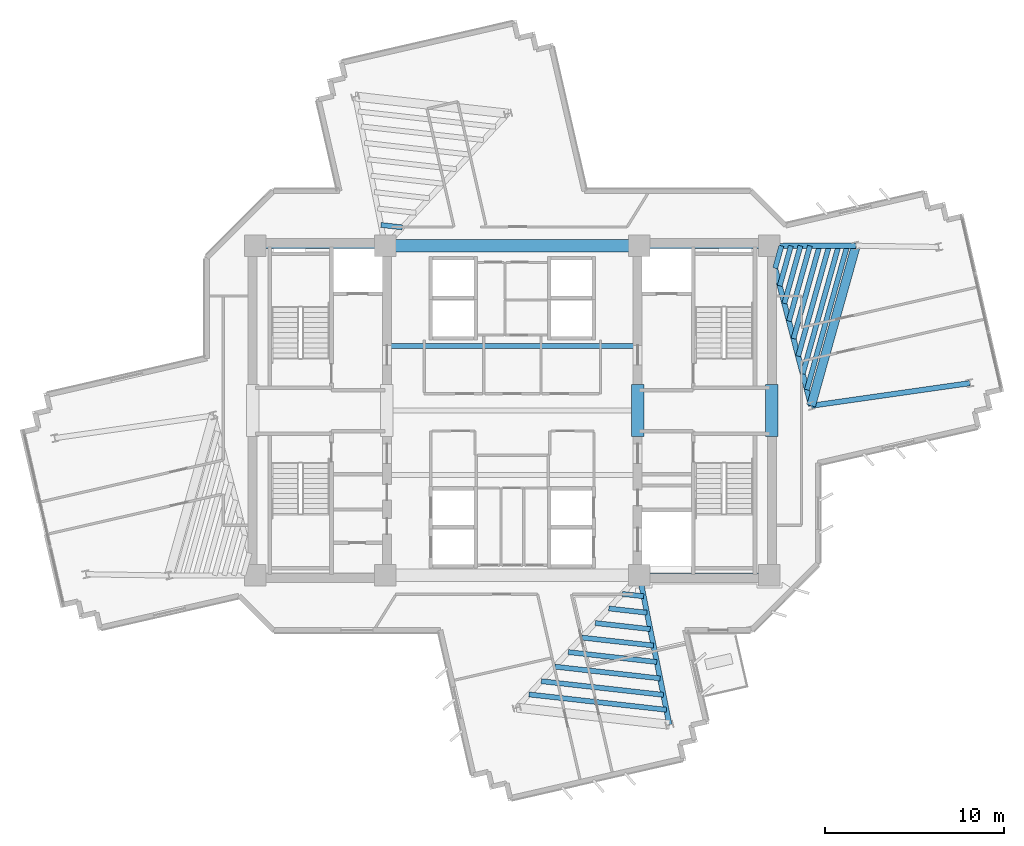
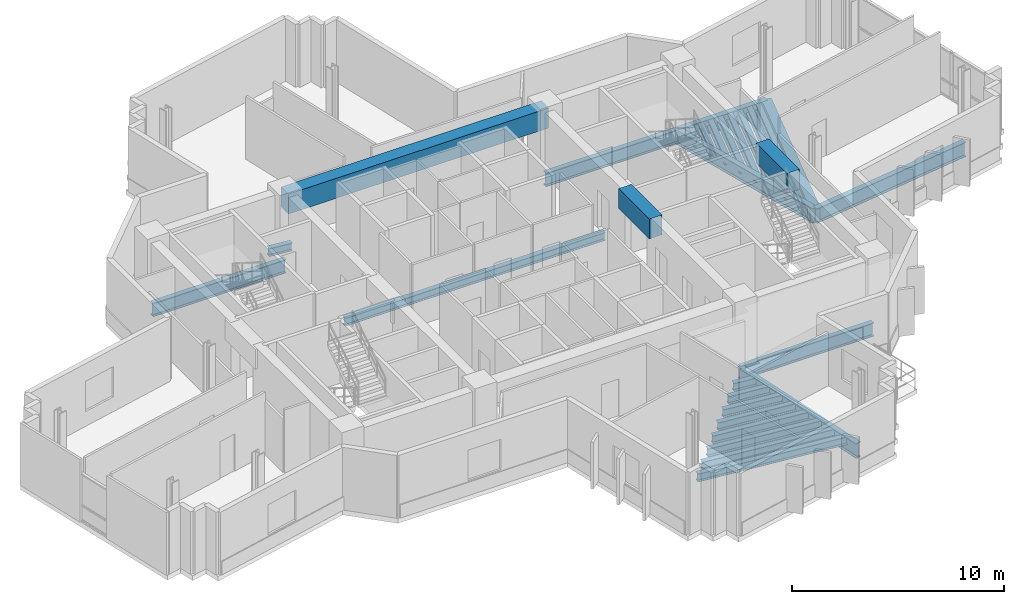
# One storey, part 3 of 13: 29 beams.
"""IFC4 building model written with IfcOpenShell, lengths in metres."""

import ifcopenshell
import ifcopenshell.guid

model = None  # the IFC model being written
_history = None  # IfcOwnerHistory: only IFC2X3 demands one
_inside = {}  # id of a spatial element -> (the spatial element, [elements in it])
_under = {}  # id of a project, library or spatial element -> (it, [spatial elements below it])
_declared = {}  # id of a project -> (the project, [libraries it declares])
_typed = {}  # id of a type object -> (the type object, [elements of that type])
_made_of = {}  # id of a material, layer set ... -> (it, [elements and type objects made of it])


def new_model(schema):
    """Start an empty IFC model of exactly this schema.

    Asked for "IFC4X3", IfcOpenShell would pick the latest addendum, in which some entities
    have other attributes; the version numbers below select the first issue.
    IFC2X3 requires an IfcOwnerHistory on every rooted entity: one is made here for all.
    """
    global model, _history
    if schema == "IFC4X3":
        model = ifcopenshell.file(schema_version=(4, 3, 0, 0))
    else:
        model = ifcopenshell.file(schema=schema)
    _inside.clear()
    _under.clear()
    _declared.clear()
    _typed.clear()
    _made_of.clear()
    _history = None
    if model.schema == "IFC2X3":
        org = make("IfcOrganization", Name="unknown")
        user = make(
            "IfcPersonAndOrganization",
            ThePerson=make("IfcPerson", FamilyName="unknown"),
            TheOrganization=org,
        )
        app = make(
            "IfcApplication",
            ApplicationDeveloper=org,
            Version="unknown",
            ApplicationFullName="unknown",
            ApplicationIdentifier="unknown",
        )
        _history = make(
            "IfcOwnerHistory",
            OwningUser=user,
            OwningApplication=app,
            ChangeAction="ADDED",
            CreationDate=0,
        )
    return model


def make(cls, **values):
    """One entity of the class cls with the attributes given. An attribute that is None is left unset."""
    return model.create_entity(
        cls, **{name: value for name, value in values.items() if value is not None}
    )


def rooted(cls, **values):
    """An entity with a GlobalId (a new one), such as an element, a storey or a relation."""
    return make(cls, GlobalId=ifcopenshell.guid.new(), OwnerHistory=_history, **values)


def si_unit(unit_type, name, prefix=None):
    """IfcSIUnit, for example si_unit("LENGTHUNIT", "METRE", prefix="MILLI")."""
    return make("IfcSIUnit", UnitType=unit_type, Prefix=prefix, Name=name)


def assignment(units):
    """IfcUnitAssignment: the units of a project."""
    return None if units is None else make("IfcUnitAssignment", Units=units)


def point(xyz):
    """IfcCartesianPoint."""
    return None if xyz is None else make("IfcCartesianPoint", Coordinates=xyz)


def direction(xyz):
    """IfcDirection."""
    return None if xyz is None else make("IfcDirection", DirectionRatios=xyz)


def frame(location, z_axis=None, x_axis=None):
    """IfcAxis2Placement3D, a coordinate frame: its origin and axes. An axis left out is left unset."""
    return make(
        "IfcAxis2Placement3D",
        Location=point(location),
        Axis=direction(z_axis),
        RefDirection=direction(x_axis),
    )


def frame_2d(location, x_axis=None):
    """IfcAxis2Placement2D, a coordinate frame in the plane: its origin and x axis."""
    return make(
        "IfcAxis2Placement2D", Location=point(location), RefDirection=direction(x_axis)
    )


def origin():
    """The frame at (0, 0, 0) with its axes left unset."""
    return frame((0.0, 0.0, 0.0))


def origin_2d():
    """The frame at (0, 0) in the plane with its x axis left unset."""
    return frame_2d((0.0, 0.0))


def place(relative_to, where):
    """IfcLocalPlacement: puts the frame where relative to a parent placement (None: the world)."""
    return make(
        "IfcLocalPlacement", PlacementRelTo=relative_to, RelativePlacement=where
    )


def context(
    kind, dimensions, precision=None, world=None, true_north=None, identifier=None
):
    """IfcGeometricRepresentationContext, for example the 3D "Model" context."""
    return make(
        "IfcGeometricRepresentationContext",
        ContextIdentifier=identifier,
        ContextType=kind,
        CoordinateSpaceDimension=dimensions,
        Precision=precision,
        WorldCoordinateSystem=world,
        TrueNorth=true_north,
    )


def subcontext(parent, identifier, kind, view, scale=None):
    """IfcGeometricRepresentationSubContext, for example "Body" below "Model"."""
    return make(
        "IfcGeometricRepresentationSubContext",
        ContextIdentifier=identifier,
        ContextType=kind,
        ParentContext=parent,
        TargetScale=scale,
        TargetView=view,
    )


def project(units=None, contexts=None):
    """IfcProject with its units and contexts."""
    return rooted(
        "IfcProject",
        Name="project",
        RepresentationContexts=contexts,
        UnitsInContext=assignment(units),
    )


def spatial(cls, under=None, at=None, **own):
    """A site, building, storey or space (cls), placed at a placement, below another one or the project."""
    s = rooted(cls, ObjectPlacement=at, **own)
    if under is not None:
        _under.setdefault(under.id(), (under, []))[1].append(s)
    return s


def profile(cls, at=None, kind="AREA", **sizes):
    """A parametric profile (cls). Its sizes go by their IFC names, for example OverallWidth=200.0."""
    return make(cls, ProfileType=kind, Position=at, **sizes)


def rectangle(**sizes):
    """IfcRectangleProfileDef."""
    return profile("IfcRectangleProfileDef", **sizes)


def i_section(**sizes):
    """IfcIShapeProfileDef."""
    return profile("IfcIShapeProfileDef", **sizes)


def extrude(swept, where, along, depth):
    """IfcExtrudedAreaSolid: the profile swept, set in the frame where, extruded along a direction by depth."""
    return make(
        "IfcExtrudedAreaSolid",
        SweptArea=swept,
        Position=where,
        ExtrudedDirection=direction(along),
        Depth=depth,
    )


def shape(context_of_items, identifier, shape_type, items):
    """IfcShapeRepresentation: the items that make up one representation, for example the "Body"."""
    return make(
        "IfcShapeRepresentation",
        ContextOfItems=context_of_items,
        RepresentationIdentifier=identifier,
        RepresentationType=shape_type,
        Items=items,
    )


def source(mapping_origin, context_of_items, identifier, shape_type, items):
    """IfcRepresentationMap: a shape defined once, which mapped items show again and again."""
    return make(
        "IfcRepresentationMap",
        MappingOrigin=mapping_origin,
        MappedRepresentation=shape(context_of_items, identifier, shape_type, items),
    )


def transform(
    local_origin,
    x_axis=None,
    y_axis=None,
    z_axis=None,
    scale=None,
    scale2=None,
    scale3=None,
    uniform=True,
):
    """IfcCartesianTransformationOperator3D, or its non-uniform kind. x_axis, y_axis, z_axis: its Axis1, 2, 3."""
    if uniform:
        return make(
            "IfcCartesianTransformationOperator3D",
            Axis1=direction(x_axis),
            Axis2=direction(y_axis),
            LocalOrigin=point(local_origin),
            Scale=scale,
            Axis3=direction(z_axis),
        )
    return make(
        "IfcCartesianTransformationOperator3DnonUniform",
        Axis1=direction(x_axis),
        Axis2=direction(y_axis),
        LocalOrigin=point(local_origin),
        Scale=scale,
        Axis3=direction(z_axis),
        Scale2=scale2,
        Scale3=scale3,
    )


def mapped(mapping_source, mapping_target):
    """IfcMappedItem: shows the shape of a source again, moved by a transform."""
    return make(
        "IfcMappedItem", MappingSource=mapping_source, MappingTarget=mapping_target
    )


def material(Name=None, Category=None):
    """IfcMaterial."""
    return make("IfcMaterial", Name=Name, Category=Category)


def material_profile(
    of_material, cross_section, Name=None, Category=None, Priority=None
):
    """IfcMaterialProfile: a cross section and its material."""
    return make(
        "IfcMaterialProfile",
        Name=Name,
        Material=of_material,
        Profile=cross_section,
        Priority=Priority,
        Category=Category,
    )


def profile_set(profiles, Name=None, composite=None):
    """IfcMaterialProfileSet."""
    return make(
        "IfcMaterialProfileSet",
        Name=Name,
        MaterialProfiles=profiles,
        CompositeProfile=composite,
    )


def made_of(thing, what):
    """Note that an element or type object is made of a material, layer set ...; save() writes the relation."""
    if what is not None:
        _made_of.setdefault(what.id(), (what, []))[1].append(thing)
    return thing


def type_object(cls, material=None, **own):
    """A type object (cls), such as IfcWallType, which elements share."""
    return made_of(rooted(cls, **own), material)


def element(
    cls,
    number,
    at=None,
    inside=None,
    cuts=None,
    type_object=None,
    material=None,
    context=None,
    identifier="Body",
    shape_type=None,
    held_by="IfcProductDefinitionShape",
    body=None,
    shapes=None,
    **own,
):
    """One element of the class cls, such as IfcWall. Its Tag is "e" and its number.

    at: its placement. inside: the storey or other place that contains it. cuts: it is an
    opening in that element (IfcRelVoidsElement). A single representation is given by context,
    identifier, shape_type and body (its items); several are given by shapes. held_by: the class
    of the entity that holds the representations. save() writes the other relations.
    """
    e = rooted(cls, Tag="e%d" % number, ObjectPlacement=at, **own)
    if body is not None:
        shapes = [shape(context, identifier, shape_type, body)]
    if shapes is not None:
        e.Representation = make(held_by, Representations=shapes)
    if inside is not None:
        _inside.setdefault(inside.id(), (inside, []))[1].append(e)
    if cuts is not None:
        rooted(
            "IfcRelVoidsElement", RelatingBuildingElement=cuts, RelatedOpeningElement=e
        )
    if type_object is not None:
        _typed.setdefault(type_object.id(), (type_object, []))[1].append(e)
    return made_of(e, material)


def aggregate(whole, parts):
    """IfcRelAggregates: a whole, such as a stair, and the parts it consists of."""
    return rooted("IfcRelAggregates", RelatingObject=whole, RelatedObjects=parts)


def save(model, path):
    """Write the relations noted so far, then the file.

    IfcRelAggregates (storeys below a building ...), IfcRelContainedInSpatialStructure (elements
    in a storey), IfcRelDefinesByType, IfcRelAssociatesMaterial and IfcRelDeclares: one each for
    every whole, place, type object, material and project.
    """
    for whole, parts in _under.values():
        aggregate(whole, parts)
    for where, things in _inside.values():
        rooted(
            "IfcRelContainedInSpatialStructure",
            RelatedElements=things,
            RelatingStructure=where,
        )
    for kind, things in _typed.values():
        rooted("IfcRelDefinesByType", RelatedObjects=things, RelatingType=kind)
    for what, things in _made_of.values():
        rooted("IfcRelAssociatesMaterial", RelatedObjects=things, RelatingMaterial=what)
    for by, libraries in _declared.values():
        rooted("IfcRelDeclares", RelatingContext=by, RelatedDefinitions=libraries)
    model.write(path)


model = new_model("IFC4")

# Units and contexts
model_context = context("Model", 3, precision=1e-05, world=origin(), true_north=direction((0.0, 1.0)))
body_context = subcontext(model_context, "Body", "Model", "MODEL_VIEW")
ifc_project = project(units=[si_unit("LENGTHUNIT", "METRE"), si_unit("AREAUNIT", "SQUARE_METRE"), si_unit("VOLUMEUNIT", "CUBIC_METRE"), si_unit("PLANEANGLEUNIT", "RADIAN"), si_unit("MASSUNIT", "GRAM", prefix="KILO")], contexts=[model_context])

# Site, building, storey
site_placement = place(None, origin())
site = spatial("IfcSite", under=ifc_project, at=site_placement, CompositionType="ELEMENT")
building_placement = place(site_placement, origin())
building = spatial("IfcBuilding", under=site, at=building_placement, Name="Zahravan Cultural Tower", CompositionType="ELEMENT")
storey_placement = place(building_placement, frame((0.0, 0.0, 178.5)))
storey = spatial("IfcBuildingStorey", under=building, at=storey_placement, Name="L41", CompositionType="ELEMENT", Elevation=178.5)

# Beams
ifc_material_1 = material(Name="Concrete C50/60", Category="concrete")
ifc_material_profile_1 = material_profile(ifc_material_1, rectangle(XDim=0.699951171875, YDim=1.14990234375, at=origin_2d()), Name="RC700X1150")
ifc_profile_set_1 = profile_set([ifc_material_profile_1], Name="Concrete C50/60")
beam_type_1 = type_object("IfcBeamType", Name="BM-LN-RC700X1150", PredefinedType="LINTEL", material=ifc_profile_set_1)
shared_shape_1 = source(origin(), body_context, "Body", "SweptSolid", [
    extrude(rectangle(XDim=0.699951171875, YDim=1.14990234375, at=origin_2d()), origin(), (0.0, 0.0, 1.0), 14.2001953125),
])
beam_1_placement = place(storey_placement, frame((28.89990234375, 36.199951171875, 3.044921875), z_axis=(1.0, 0.0, 0.0), x_axis=(0.0, 1.0, 0.0)))
element("IfcBeam", 1, at=beam_1_placement, inside=storey, type_object=beam_type_1, Name="L41 Beam LN-L41-N", PredefinedType="LINTEL", context=body_context, shape_type="MappedRepresentation", body=[
    mapped(shared_shape_1, transform((0.0, 0.0, 0.0), x_axis=(1.0, 0.0, 0.0), y_axis=(0.0, 1.0, 0.0), z_axis=(0.0, 0.0, 1.0), scale=1.0)),
])
shared_shape_2 = source(origin(), body_context, "Body", "SweptSolid", [
    extrude(rectangle(XDim=0.699951171875, YDim=1.14990234375, at=origin_2d()), origin(), (0.0, 0.0, 1.0), 2.89990234375),
])
for number, where, z_axis, x_axis, name in (
    (2, (43.0, 25.550048828125, 3.044921875), (0.0, 1.0, 0.0), (-1.0, 0.0, 0.0), "L41 Beam LN-L41-PEW"),
    (3, (50.5, 25.550048828125, 3.044921875), (0.0, 1.0, 0.0), (-1.0, 0.0, 0.0), "L41 Beam LN-L41-PEE"),
):
    element("IfcBeam", number, at=place(storey_placement, frame(where, z_axis=z_axis, x_axis=x_axis)), inside=storey, type_object=beam_type_1, Name=name, PredefinedType="LINTEL", context=body_context, shape_type="MappedRepresentation", body=[
        mapped(shared_shape_2, transform((0.0, 0.0, 0.0), x_axis=(1.0, 0.0, 0.0), y_axis=(0.0, 1.0, 0.0), z_axis=(0.0, 0.0, 1.0), scale=1.0)),
    ])
ifc_material_2 = material(Name="Steel ASTM A992 Grade 50", Category="steel")
ifc_material_profile_2 = material_profile(ifc_material_2, i_section(OverallWidth=0.26611328125, OverallDepth=0.780029296875, WebThickness=0.0166015625, FlangeThickness=0.030029296875, FilletRadius=0.01904296875, at=origin_2d()), Name="W30X148")
ifc_profile_set_2 = profile_set([ifc_material_profile_2], Name="Steel ASTM A992 Grade 50")
beam_type_2 = type_object("IfcBeamType", Name="BM-G-W30X148", PredefinedType="BEAM", material=ifc_profile_set_2)
shared_shape_3 = source(origin(), body_context, "Body", "SweptSolid", [
    extrude(i_section(OverallWidth=0.26611328125, OverallDepth=0.780029296875, WebThickness=0.0166015625, FlangeThickness=0.030029296875, FilletRadius=0.01904296875, at=origin_2d()), origin(), (0.0, 0.0, 1.0), 7.25),
])
for number, where, z_axis, x_axis, name in (
    (4, (21.64990234375, 36.199951171875, -0.669921875), (1.0, 0.0, 0.0), (0.0, 1.0, 0.0), "L41 Beam BG-L41-02"),
    (5, (43.10009765625, 17.800048828125, -0.669921875), (1.0, 0.0, 0.0), (0.0, 1.0, 0.0), "L41 Beam BG-L41-04"),
    (6, (43.10009765625, 36.199951171875, -0.669921875), (1.0, 0.0, 0.0), (0.0, 1.0, 0.0), "L41 Beam BG-L41-05"),
):
    element("IfcBeam", number, at=place(storey_placement, frame(where, z_axis=z_axis, x_axis=x_axis)), inside=storey, type_object=beam_type_2, Name=name, PredefinedType="BEAM", context=body_context, shape_type="MappedRepresentation", body=[
        mapped(shared_shape_3, transform((0.0, 0.0, 0.0), x_axis=(1.0, 0.0, 0.0), y_axis=(0.0, 1.0, 0.0), z_axis=(0.0, 0.0, 1.0), scale=1.0)),
    ])
ifc_material_profile_3 = material_profile(ifc_material_1, rectangle(XDim=0.5, YDim=0.85009765625, at=origin_2d()), Name="RC500X850")
ifc_profile_set_3 = profile_set([ifc_material_profile_3], Name="Concrete C50/60")
beam_type_3 = type_object("IfcBeamType", Name="BM-SP-RC500X850", PredefinedType="SPANDREL", material=ifc_profile_set_3)
shared_shape_4 = source(origin(), body_context, "Body", "SweptSolid", [
    extrude(rectangle(XDim=0.5, YDim=0.85009765625, at=origin_2d()), origin(), (0.0, 0.0, 1.0), 9.2783203125),
])
beam_2_placement = place(storey_placement, frame((52.684326171875, 27.27099609375, -0.705078125), z_axis=(0.269497187032, 0.963001176625, 0.0), x_axis=(-0.963001176625, 0.269497187032, 0.0)))
element("IfcBeam", 7, at=beam_2_placement, inside=storey, type_object=beam_type_3, Name="L41 Beam SP-L41-21", PredefinedType="SPANDREL", context=body_context, shape_type="MappedRepresentation", body=[
    mapped(shared_shape_4, transform((0.0, 0.0, 0.0), x_axis=(1.0, 0.0, 0.0), y_axis=(0.0, 1.0, 0.0), z_axis=(0.0, 0.0, 1.0), scale=1.0)),
])
ifc_material_profile_4 = material_profile(ifc_material_2, i_section(OverallWidth=0.29296875, OverallDepth=0.845947265625, WebThickness=0.015380859375, FlangeThickness=0.0244140625, FilletRadius=0.02001953125, at=origin_2d()), Name="W33X141")
ifc_profile_set_4 = profile_set([ifc_material_profile_4], Name="Steel ASTM A992 Grade 50")
beam_type_4 = type_object("IfcBeamType", Name="BM-G-W33X141", PredefinedType="BEAM", material=ifc_profile_set_4)
shared_shape_5 = source(origin(), body_context, "Body", "SweptSolid", [
    extrude(i_section(OverallWidth=0.29296875, OverallDepth=0.845947265625, WebThickness=0.015380859375, FlangeThickness=0.0244140625, FilletRadius=0.02001953125, at=origin_2d()), origin(), (0.0, 0.0, 1.0), 9.22900390625),
])
beam_3_placement = place(storey_placement, frame((50.35009765625, 36.199951171875, -0.702880859375), z_axis=(0.252922608408, -0.967486513682, 0.0), x_axis=(0.967486513682, 0.252922608408, 0.0)))
element("IfcBeam", 8, at=beam_3_placement, inside=storey, type_object=beam_type_4, Name="L41 Beam BG-L41-11", PredefinedType="BEAM", context=body_context, shape_type="MappedRepresentation", body=[
    mapped(shared_shape_5, transform((0.0, 0.0, 0.0), x_axis=(1.0, 0.0, 0.0), y_axis=(0.0, 1.0, 0.0), z_axis=(0.0, 0.0, 1.0), scale=1.0)),
])
shared_shape_6 = source(origin(), body_context, "Body", "SweptSolid", [
    extrude(i_section(OverallWidth=0.29296875, OverallDepth=0.845947265625, WebThickness=0.015380859375, FlangeThickness=0.0244140625, FilletRadius=0.02001953125, at=origin_2d()), origin(), (0.0, 0.0, 1.0), 4.834716796875),
])
beam_4_placement = place(storey_placement, frame((50.35009765625, 36.199951171875, -0.702880859375), z_axis=(0.99999920313, 0.001262433979, 0.0), x_axis=(-0.001262433979, 0.99999920313, 0.0)))
element("IfcBeam", 9, at=beam_4_placement, inside=storey, type_object=beam_type_4, Name="L41 Beam BG-L41-12", PredefinedType="BEAM", context=body_context, shape_type="MappedRepresentation", body=[
    mapped(shared_shape_6, transform((0.0, 0.0, 0.0), x_axis=(1.0, 0.0, 0.0), y_axis=(0.0, 1.0, 0.0), z_axis=(0.0, 0.0, 1.0), scale=1.0)),
])
shared_shape_7 = source(origin(), body_context, "Body", "SweptSolid", [
    extrude(i_section(OverallWidth=0.29296875, OverallDepth=0.845947265625, WebThickness=0.015380859375, FlangeThickness=0.0244140625, FilletRadius=0.02001953125, at=origin_2d()), origin(), (0.0, 0.0, 1.0), 8.50732421875),
])
beam_5_placement = place(storey_placement, frame((43.10009765625, 17.800048828125, -0.702880859375), z_axis=(0.196524514012, -0.980498911469, 0.0), x_axis=(0.980498911469, 0.196524514012, 0.0)))
element("IfcBeam", 10, at=beam_5_placement, inside=storey, type_object=beam_type_4, Name="L41 Beam BG-L41-10", PredefinedType="BEAM", context=body_context, shape_type="MappedRepresentation", body=[
    mapped(shared_shape_7, transform((0.0, 0.0, 0.0), x_axis=(1.0, 0.0, 0.0), y_axis=(0.0, 1.0, 0.0), z_axis=(0.0, 0.0, 1.0), scale=1.0)),
])
shared_shape_8 = source(origin(), body_context, "Body", "SweptSolid", [
    extrude(i_section(OverallWidth=0.29296875, OverallDepth=0.845947265625, WebThickness=0.015380859375, FlangeThickness=0.0244140625, FilletRadius=0.02001953125, at=origin_2d()), origin(), (0.0, 0.0, 1.0), 8.9580078125),
])
beam_6_placement = place(storey_placement, frame((52.684326171875, 27.27099609375, -0.702880859375), z_axis=(0.990000122431, 0.141066500584, 0.0), x_axis=(-0.141066500584, 0.990000122431, 0.0)))
element("IfcBeam", 11, at=beam_6_placement, inside=storey, type_object=beam_type_4, Name="L41 Beam BG-L41-15", PredefinedType="BEAM", context=body_context, shape_type="MappedRepresentation", body=[
    mapped(shared_shape_8, transform((0.0, 0.0, 0.0), x_axis=(1.0, 0.0, 0.0), y_axis=(0.0, 1.0, 0.0), z_axis=(0.0, 0.0, 1.0), scale=1.0)),
])
ifc_material_profile_5 = material_profile(ifc_material_2, i_section(OverallWidth=0.280029296875, OverallDepth=0.462890625, WebThickness=0.0107421875, FlangeThickness=0.017333984375, FilletRadius=0.012939453125, at=origin_2d()), Name="W18X76")
ifc_profile_set_5 = profile_set([ifc_material_profile_5], Name="Steel ASTM A992 Grade 50")
beam_type_5 = type_object("IfcBeamType", Name="BM-J-W18X76", PredefinedType="JOIST", material=ifc_profile_set_5)
shared_shape_9 = source(origin(), body_context, "Body", "SweptSolid", [
    extrude(i_section(OverallWidth=0.280029296875, OverallDepth=0.462890625, WebThickness=0.0107421875, FlangeThickness=0.017333984375, FilletRadius=0.012939453125, at=origin_2d()), origin(), (0.0, 0.0, 1.0), 14.2001953125),
])
beam_7_placement = place(storey_placement, frame((28.89990234375, 30.60009765625, -0.511474609375), z_axis=(1.0, 0.0, 0.0), x_axis=(0.0, 1.0, 0.0)))
element("IfcBeam", 12, at=beam_7_placement, inside=storey, type_object=beam_type_5, Name="L41 Beam BJ-L41-25", PredefinedType="JOIST", context=body_context, shape_type="MappedRepresentation", body=[
    mapped(shared_shape_9, transform((0.0, 0.0, 0.0), x_axis=(1.0, 0.0, 0.0), y_axis=(0.0, 1.0, 0.0), z_axis=(0.0, 0.0, 1.0), scale=1.0)),
])
shared_shape_10 = source(origin(), body_context, "Body", "SweptSolid", [
    extrude(i_section(OverallWidth=0.280029296875, OverallDepth=0.462890625, WebThickness=0.0107421875, FlangeThickness=0.017333984375, FilletRadius=0.012939453125, at=origin_2d()), origin(), (0.0, 0.0, 1.0), 1.299072265625),
])
beam_8_placement = place(storey_placement, frame((50.6767578125, 34.949951171875, -0.511474609375), z_axis=(0.269504444708, 0.962999145525, 0.0), x_axis=(-0.962999145525, 0.269504444708, 0.0)))
element("IfcBeam", 13, at=beam_8_placement, inside=storey, type_object=beam_type_5, Name="L41 Beam BJ-L41-42", PredefinedType="JOIST", context=body_context, shape_type="MappedRepresentation", body=[
    mapped(shared_shape_10, transform((0.0, 0.0, 0.0), x_axis=(1.0, 0.0, 0.0), y_axis=(0.0, 1.0, 0.0), z_axis=(0.0, 0.0, 1.0), scale=1.0)),
])
shared_shape_11 = source(origin(), body_context, "Body", "SweptSolid", [
    extrude(i_section(OverallWidth=0.280029296875, OverallDepth=0.462890625, WebThickness=0.0107421875, FlangeThickness=0.017333984375, FilletRadius=0.012939453125, at=origin_2d()), origin(), (0.0, 0.0, 1.0), 2.3193359375),
])
beam_9_placement = place(storey_placement, frame((50.93359375, 33.9677734375, -0.511474609375), z_axis=(0.269462038626, 0.963011012263, 0.0), x_axis=(-0.963011012263, 0.269462038626, 0.0)))
element("IfcBeam", 14, at=beam_9_placement, inside=storey, type_object=beam_type_5, Name="L41 Beam BJ-L41-43", PredefinedType="JOIST", context=body_context, shape_type="MappedRepresentation", body=[
    mapped(shared_shape_11, transform((0.0, 0.0, 0.0), x_axis=(1.0, 0.0, 0.0), y_axis=(0.0, 1.0, 0.0), z_axis=(0.0, 0.0, 1.0), scale=1.0)),
])
shared_shape_12 = source(origin(), body_context, "Body", "SweptSolid", [
    extrude(i_section(OverallWidth=0.280029296875, OverallDepth=0.462890625, WebThickness=0.0107421875, FlangeThickness=0.017333984375, FilletRadius=0.012939453125, at=origin_2d()), origin(), (0.0, 0.0, 1.0), 3.340087890625),
])
beam_10_placement = place(storey_placement, frame((51.190185546875, 32.985595703125, -0.511474609375), z_axis=(0.269562146951, 0.962982995141, 0.0), x_axis=(-0.962982995141, 0.269562146951, 0.0)))
element("IfcBeam", 15, at=beam_10_placement, inside=storey, type_object=beam_type_5, Name="L41 Beam BJ-L41-44", PredefinedType="JOIST", context=body_context, shape_type="MappedRepresentation", body=[
    mapped(shared_shape_12, transform((0.0, 0.0, 0.0), x_axis=(1.0, 0.0, 0.0), y_axis=(0.0, 1.0, 0.0), z_axis=(0.0, 0.0, 1.0), scale=1.0)),
])
shared_shape_13 = source(origin(), body_context, "Body", "SweptSolid", [
    extrude(i_section(OverallWidth=0.280029296875, OverallDepth=0.462890625, WebThickness=0.0107421875, FlangeThickness=0.017333984375, FilletRadius=0.012939453125, at=origin_2d()), origin(), (0.0, 0.0, 1.0), 4.36083984375),
])
beam_11_placement = place(storey_placement, frame((51.447021484375, 32.00341796875, -0.511474609375), z_axis=(0.269511557673, 0.962997154866, 0.0), x_axis=(-0.962997154866, 0.269511557673, 0.0)))
element("IfcBeam", 16, at=beam_11_placement, inside=storey, type_object=beam_type_5, Name="L41 Beam BJ-L41-45", PredefinedType="JOIST", context=body_context, shape_type="MappedRepresentation", body=[
    mapped(shared_shape_13, transform((0.0, 0.0, 0.0), x_axis=(1.0, 0.0, 0.0), y_axis=(0.0, 1.0, 0.0), z_axis=(0.0, 0.0, 1.0), scale=1.0)),
])
shared_shape_14 = source(origin(), body_context, "Body", "SweptSolid", [
    extrude(i_section(OverallWidth=0.280029296875, OverallDepth=0.462890625, WebThickness=0.0107421875, FlangeThickness=0.017333984375, FilletRadius=0.012939453125, at=origin_2d()), origin(), (0.0, 0.0, 1.0), 5.3818359375),
])
beam_12_placement = place(storey_placement, frame((51.703857421875, 31.02099609375, -0.511474609375), z_axis=(0.269510454638, 0.962997463569, 0.0), x_axis=(-0.962997463569, 0.269510454638, 0.0)))
element("IfcBeam", 17, at=beam_12_placement, inside=storey, type_object=beam_type_5, Name="L41 Beam BJ-L41-46", PredefinedType="JOIST", context=body_context, shape_type="MappedRepresentation", body=[
    mapped(shared_shape_14, transform((0.0, 0.0, 0.0), x_axis=(1.0, 0.0, 0.0), y_axis=(0.0, 1.0, 0.0), z_axis=(0.0, 0.0, 1.0), scale=1.0)),
])
shared_shape_15 = source(origin(), body_context, "Body", "SweptSolid", [
    extrude(i_section(OverallWidth=0.280029296875, OverallDepth=0.462890625, WebThickness=0.0107421875, FlangeThickness=0.017333984375, FilletRadius=0.012939453125, at=origin_2d()), origin(), (0.0, 0.0, 1.0), 6.402099609375),
])
beam_13_placement = place(storey_placement, frame((51.960693359375, 30.038818359375, -0.511474609375), z_axis=(0.269494133533, 0.963002031146, 0.0), x_axis=(-0.963002031146, 0.269494133533, 0.0)))
element("IfcBeam", 18, at=beam_13_placement, inside=storey, type_object=beam_type_5, Name="L41 Beam BJ-L41-47", PredefinedType="JOIST", context=body_context, shape_type="MappedRepresentation", body=[
    mapped(shared_shape_15, transform((0.0, 0.0, 0.0), x_axis=(1.0, 0.0, 0.0), y_axis=(0.0, 1.0, 0.0), z_axis=(0.0, 0.0, 1.0), scale=1.0)),
])
shared_shape_16 = source(origin(), body_context, "Body", "SweptSolid", [
    extrude(i_section(OverallWidth=0.280029296875, OverallDepth=0.462890625, WebThickness=0.0107421875, FlangeThickness=0.017333984375, FilletRadius=0.012939453125, at=origin_2d()), origin(), (0.0, 0.0, 1.0), 7.4228515625),
])
beam_14_placement = place(storey_placement, frame((52.21728515625, 29.056640625, -0.511474609375), z_axis=(0.269504266128, 0.962999195503, 0.0), x_axis=(-0.962999195503, 0.269504266128, 0.0)))
element("IfcBeam", 19, at=beam_14_placement, inside=storey, type_object=beam_type_5, Name="L41 Beam BJ-L41-48", PredefinedType="JOIST", context=body_context, shape_type="MappedRepresentation", body=[
    mapped(shared_shape_16, transform((0.0, 0.0, 0.0), x_axis=(1.0, 0.0, 0.0), y_axis=(0.0, 1.0, 0.0), z_axis=(0.0, 0.0, 1.0), scale=1.0)),
])
shared_shape_17 = source(origin(), body_context, "Body", "SweptSolid", [
    extrude(i_section(OverallWidth=0.280029296875, OverallDepth=0.462890625, WebThickness=0.0107421875, FlangeThickness=0.017333984375, FilletRadius=0.012939453125, at=origin_2d()), origin(), (0.0, 0.0, 1.0), 8.350830078125),
])
beam_15_placement = place(storey_placement, frame((52.450927734375, 28.163818359375, -0.511474609375), z_axis=(0.269496539555, 0.963001357822, 0.0), x_axis=(-0.963001357822, 0.269496539555, 0.0)))
element("IfcBeam", 20, at=beam_15_placement, inside=storey, type_object=beam_type_5, Name="L41 Beam BJ-L41-49", PredefinedType="JOIST", context=body_context, shape_type="MappedRepresentation", body=[
    mapped(shared_shape_17, transform((0.0, 0.0, 0.0), x_axis=(1.0, 0.0, 0.0), y_axis=(0.0, 1.0, 0.0), z_axis=(0.0, 0.0, 1.0), scale=1.0)),
])
shared_shape_18 = source(origin(), body_context, "Body", "SweptSolid", [
    extrude(i_section(OverallWidth=0.280029296875, OverallDepth=0.462890625, WebThickness=0.0107421875, FlangeThickness=0.017333984375, FilletRadius=0.012939453125, at=origin_2d()), origin(), (0.0, 0.0, 1.0), 1.201171875),
])
for number, where, z_axis, x_axis, name in (
    (21, (42.140380859375, 16.765625, -0.511474609375), (0.99379916149, -0.111190047317, 0.0), (0.111190047317, 0.99379916149, 0.0), "L41 Beam BJ-L41-34"),
    (22, (29.859619140625, 37.234375, -0.511474609375), (-0.99379916149, 0.111190047317, 0.0), (-0.111190047317, -0.99379916149, 0.0), "L41 Beam BJ-L41-50"),
):
    element("IfcBeam", number, at=place(storey_placement, frame(where, z_axis=z_axis, x_axis=x_axis)), inside=storey, type_object=beam_type_5, Name=name, PredefinedType="JOIST", context=body_context, shape_type="MappedRepresentation", body=[
        mapped(shared_shape_18, transform((0.0, 0.0, 0.0), x_axis=(1.0, 0.0, 0.0), y_axis=(0.0, 1.0, 0.0), z_axis=(0.0, 0.0, 1.0), scale=1.0)),
    ])
shared_shape_19 = source(origin(), body_context, "Body", "SweptSolid", [
    extrude(i_section(OverallWidth=0.280029296875, OverallDepth=0.462890625, WebThickness=0.0107421875, FlangeThickness=0.017333984375, FilletRadius=0.012939453125, at=origin_2d()), origin(), (0.0, 0.0, 1.0), 2.144775390625),
])
beam_16_placement = place(storey_placement, frame((41.386474609375, 15.953125, -0.511474609375), z_axis=(0.993797370806, -0.111206051, 0.0), x_axis=(0.111206051, 0.993797370806, 0.0)))
element("IfcBeam", 23, at=beam_16_placement, inside=storey, type_object=beam_type_5, Name="L41 Beam BJ-L41-35", PredefinedType="JOIST", context=body_context, shape_type="MappedRepresentation", body=[
    mapped(shared_shape_19, transform((0.0, 0.0, 0.0), x_axis=(1.0, 0.0, 0.0), y_axis=(0.0, 1.0, 0.0), z_axis=(0.0, 0.0, 1.0), scale=1.0)),
])
shared_shape_20 = source(origin(), body_context, "Body", "SweptSolid", [
    extrude(i_section(OverallWidth=0.280029296875, OverallDepth=0.462890625, WebThickness=0.0107421875, FlangeThickness=0.017333984375, FilletRadius=0.012939453125, at=origin_2d()), origin(), (0.0, 0.0, 1.0), 3.088623046875),
])
beam_17_placement = place(storey_placement, frame((40.63232421875, 15.140380859375, -0.511474609375), z_axis=(0.993805407368, -0.111134208443, 0.0), x_axis=(0.111134208443, 0.993805407368, 0.0)))
element("IfcBeam", 24, at=beam_17_placement, inside=storey, type_object=beam_type_5, Name="L41 Beam BJ-L41-36", PredefinedType="JOIST", context=body_context, shape_type="MappedRepresentation", body=[
    mapped(shared_shape_20, transform((0.0, 0.0, 0.0), x_axis=(1.0, 0.0, 0.0), y_axis=(0.0, 1.0, 0.0), z_axis=(0.0, 0.0, 1.0), scale=1.0)),
])
shared_shape_21 = source(origin(), body_context, "Body", "SweptSolid", [
    extrude(i_section(OverallWidth=0.280029296875, OverallDepth=0.462890625, WebThickness=0.0107421875, FlangeThickness=0.017333984375, FilletRadius=0.012939453125, at=origin_2d()), origin(), (0.0, 0.0, 1.0), 4.0322265625),
])
beam_18_placement = place(storey_placement, frame((39.87841796875, 14.327880859375, -0.511474609375), z_axis=(0.993802245601, -0.11116247855, 0.0), x_axis=(0.11116247855, 0.993802245601, 0.0)))
element("IfcBeam", 25, at=beam_18_placement, inside=storey, type_object=beam_type_5, Name="L41 Beam BJ-L41-37", PredefinedType="JOIST", context=body_context, shape_type="MappedRepresentation", body=[
    mapped(shared_shape_21, transform((0.0, 0.0, 0.0), x_axis=(1.0, 0.0, 0.0), y_axis=(0.0, 1.0, 0.0), z_axis=(0.0, 0.0, 1.0), scale=1.0)),
])
shared_shape_22 = source(origin(), body_context, "Body", "SweptSolid", [
    extrude(i_section(OverallWidth=0.280029296875, OverallDepth=0.462890625, WebThickness=0.0107421875, FlangeThickness=0.017333984375, FilletRadius=0.012939453125, at=origin_2d()), origin(), (0.0, 0.0, 1.0), 4.97607421875),
])
beam_19_placement = place(storey_placement, frame((39.124267578125, 13.51513671875, -0.511474609375), z_axis=(0.993806308517, -0.111126149723, 0.0), x_axis=(0.111126149723, 0.993806308517, 0.0)))
element("IfcBeam", 26, at=beam_19_placement, inside=storey, type_object=beam_type_5, Name="L41 Beam BJ-L41-38", PredefinedType="JOIST", context=body_context, shape_type="MappedRepresentation", body=[
    mapped(shared_shape_22, transform((0.0, 0.0, 0.0), x_axis=(1.0, 0.0, 0.0), y_axis=(0.0, 1.0, 0.0), z_axis=(0.0, 0.0, 1.0), scale=1.0)),
])
shared_shape_23 = source(origin(), body_context, "Body", "SweptSolid", [
    extrude(i_section(OverallWidth=0.280029296875, OverallDepth=0.462890625, WebThickness=0.0107421875, FlangeThickness=0.017333984375, FilletRadius=0.012939453125, at=origin_2d()), origin(), (0.0, 0.0, 1.0), 5.919921875),
])
beam_20_placement = place(storey_placement, frame((38.370361328125, 12.70263671875, -0.511474609375), z_axis=(0.993804520866, -0.111142135602, 0.0), x_axis=(0.111142135602, 0.993804520866, 0.0)))
element("IfcBeam", 27, at=beam_20_placement, inside=storey, type_object=beam_type_5, Name="L41 Beam BJ-L41-39", PredefinedType="JOIST", context=body_context, shape_type="MappedRepresentation", body=[
    mapped(shared_shape_23, transform((0.0, 0.0, 0.0), x_axis=(1.0, 0.0, 0.0), y_axis=(0.0, 1.0, 0.0), z_axis=(0.0, 0.0, 1.0), scale=1.0)),
])
shared_shape_24 = source(origin(), body_context, "Body", "SweptSolid", [
    extrude(i_section(OverallWidth=0.280029296875, OverallDepth=0.462890625, WebThickness=0.0107421875, FlangeThickness=0.017333984375, FilletRadius=0.012939453125, at=origin_2d()), origin(), (0.0, 0.0, 1.0), 6.86376953125),
])
beam_21_placement = place(storey_placement, frame((37.6162109375, 11.889892578125, -0.511474609375), z_axis=(0.993803224695, -0.111153725024, 0.0), x_axis=(0.111153725024, 0.993803224695, 0.0)))
element("IfcBeam", 28, at=beam_21_placement, inside=storey, type_object=beam_type_5, Name="L41 Beam BJ-L41-40", PredefinedType="JOIST", context=body_context, shape_type="MappedRepresentation", body=[
    mapped(shared_shape_24, transform((0.0, 0.0, 0.0), x_axis=(1.0, 0.0, 0.0), y_axis=(0.0, 1.0, 0.0), z_axis=(0.0, 0.0, 1.0), scale=1.0)),
])
shared_shape_25 = source(origin(), body_context, "Body", "SweptSolid", [
    extrude(i_section(OverallWidth=0.280029296875, OverallDepth=0.462890625, WebThickness=0.0107421875, FlangeThickness=0.017333984375, FilletRadius=0.012939453125, at=origin_2d()), origin(), (0.0, 0.0, 1.0), 7.7216796875),
])
beam_22_placement = place(storey_placement, frame((36.930908203125, 11.151123046875, -0.511474609375), z_axis=(0.993805212115, -0.11113595446, 0.0), x_axis=(0.11113595446, 0.993805212115, 0.0)))
element("IfcBeam", 29, at=beam_22_placement, inside=storey, type_object=beam_type_5, Name="L41 Beam BJ-L41-41", PredefinedType="JOIST", context=body_context, shape_type="MappedRepresentation", body=[
    mapped(shared_shape_25, transform((0.0, 0.0, 0.0), x_axis=(1.0, 0.0, 0.0), y_axis=(0.0, 1.0, 0.0), z_axis=(0.0, 0.0, 1.0), scale=1.0)),
])

save(model, "model.ifc")
